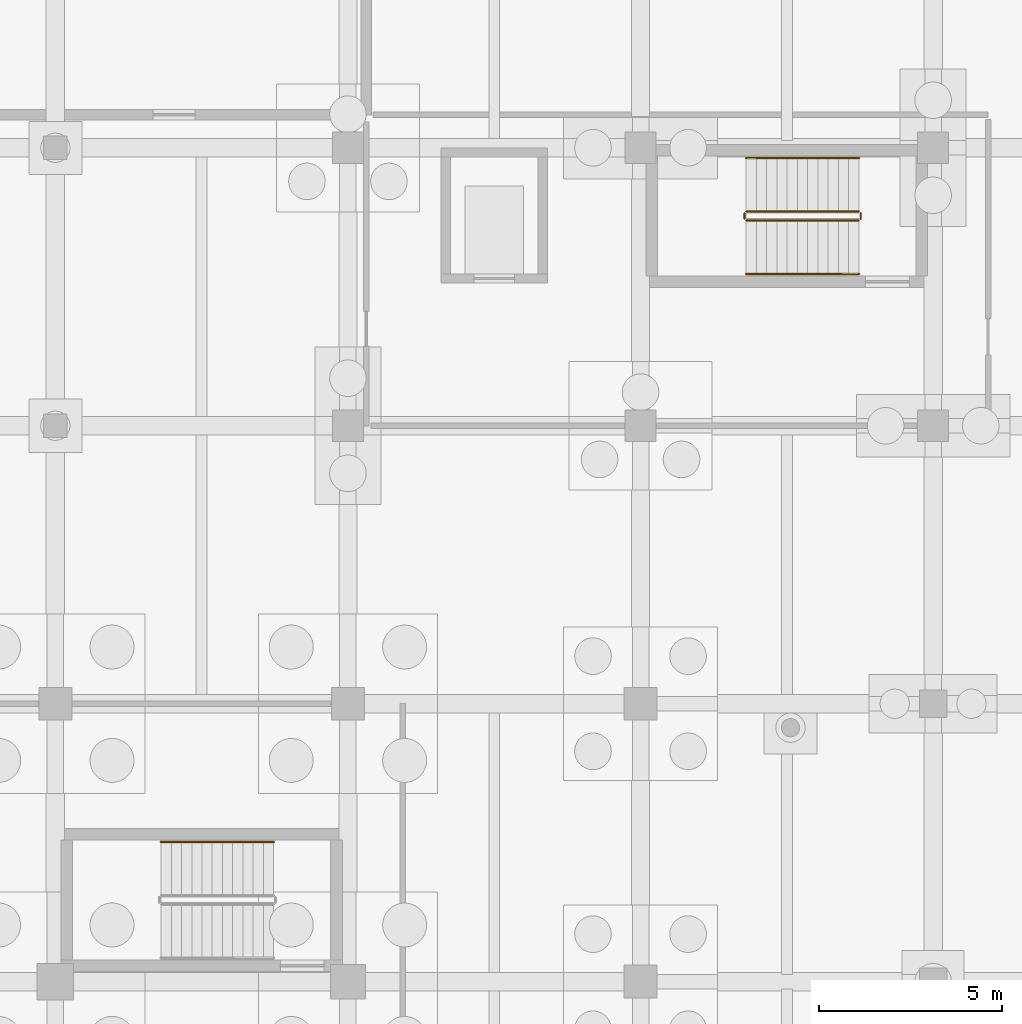
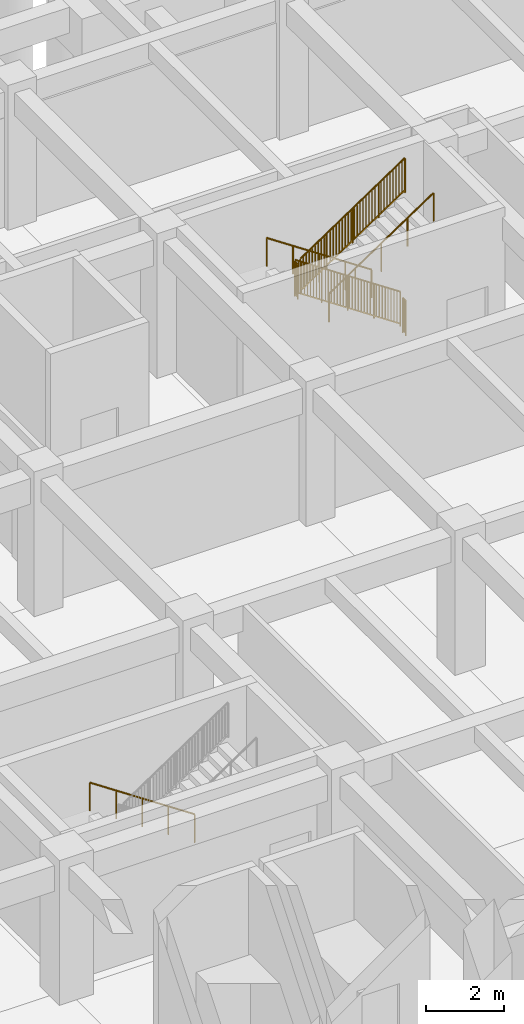
# One storey, part 48 of 49: 7 railings.
"""IFC4 building model written with IfcOpenShell, lengths in metres."""

import ifcopenshell
import ifcopenshell.guid

model = None  # the IFC model being written
_history = None  # IfcOwnerHistory: only IFC2X3 demands one
_inside = {}  # id of a spatial element -> (the spatial element, [elements in it])
_under = {}  # id of a project, library or spatial element -> (it, [spatial elements below it])
_declared = {}  # id of a project -> (the project, [libraries it declares])
_typed = {}  # id of a type object -> (the type object, [elements of that type])
_made_of = {}  # id of a material, layer set ... -> (it, [elements and type objects made of it])


def new_model(schema):
    """Start an empty IFC model of exactly this schema.

    Asked for "IFC4X3", IfcOpenShell would pick the latest addendum, in which some entities
    have other attributes; the version numbers below select the first issue.
    IFC2X3 requires an IfcOwnerHistory on every rooted entity: one is made here for all.
    """
    global model, _history
    if schema == "IFC4X3":
        model = ifcopenshell.file(schema_version=(4, 3, 0, 0))
    else:
        model = ifcopenshell.file(schema=schema)
    _inside.clear()
    _under.clear()
    _declared.clear()
    _typed.clear()
    _made_of.clear()
    _history = None
    if model.schema == "IFC2X3":
        org = make("IfcOrganization", Name="unknown")
        user = make(
            "IfcPersonAndOrganization",
            ThePerson=make("IfcPerson", FamilyName="unknown"),
            TheOrganization=org,
        )
        app = make(
            "IfcApplication",
            ApplicationDeveloper=org,
            Version="unknown",
            ApplicationFullName="unknown",
            ApplicationIdentifier="unknown",
        )
        _history = make(
            "IfcOwnerHistory",
            OwningUser=user,
            OwningApplication=app,
            ChangeAction="ADDED",
            CreationDate=0,
        )
    return model


def make(cls, **values):
    """One entity of the class cls with the attributes given. An attribute that is None is left unset."""
    return model.create_entity(
        cls, **{name: value for name, value in values.items() if value is not None}
    )


def rooted(cls, **values):
    """An entity with a GlobalId (a new one), such as an element, a storey or a relation."""
    return make(cls, GlobalId=ifcopenshell.guid.new(), OwnerHistory=_history, **values)


def si_unit(unit_type, name, prefix=None):
    """IfcSIUnit, for example si_unit("LENGTHUNIT", "METRE", prefix="MILLI")."""
    return make("IfcSIUnit", UnitType=unit_type, Prefix=prefix, Name=name)


def assignment(units):
    """IfcUnitAssignment: the units of a project."""
    return None if units is None else make("IfcUnitAssignment", Units=units)


def point(xyz):
    """IfcCartesianPoint."""
    return None if xyz is None else make("IfcCartesianPoint", Coordinates=xyz)


def direction(xyz):
    """IfcDirection."""
    return None if xyz is None else make("IfcDirection", DirectionRatios=xyz)


def frame(location, z_axis=None, x_axis=None):
    """IfcAxis2Placement3D, a coordinate frame: its origin and axes. An axis left out is left unset."""
    return make(
        "IfcAxis2Placement3D",
        Location=point(location),
        Axis=direction(z_axis),
        RefDirection=direction(x_axis),
    )


def frame_2d(location, x_axis=None):
    """IfcAxis2Placement2D, a coordinate frame in the plane: its origin and x axis."""
    return make(
        "IfcAxis2Placement2D", Location=point(location), RefDirection=direction(x_axis)
    )


def origin():
    """The frame at (0, 0, 0) with its axes left unset."""
    return frame((0.0, 0.0, 0.0))


def origin_2d():
    """The frame at (0, 0) in the plane with its x axis left unset."""
    return frame_2d((0.0, 0.0))


def place(relative_to, where):
    """IfcLocalPlacement: puts the frame where relative to a parent placement (None: the world)."""
    return make(
        "IfcLocalPlacement", PlacementRelTo=relative_to, RelativePlacement=where
    )


def context(
    kind, dimensions, precision=None, world=None, true_north=None, identifier=None
):
    """IfcGeometricRepresentationContext, for example the 3D "Model" context."""
    return make(
        "IfcGeometricRepresentationContext",
        ContextIdentifier=identifier,
        ContextType=kind,
        CoordinateSpaceDimension=dimensions,
        Precision=precision,
        WorldCoordinateSystem=world,
        TrueNorth=true_north,
    )


def subcontext(parent, identifier, kind, view, scale=None):
    """IfcGeometricRepresentationSubContext, for example "Body" below "Model"."""
    return make(
        "IfcGeometricRepresentationSubContext",
        ContextIdentifier=identifier,
        ContextType=kind,
        ParentContext=parent,
        TargetScale=scale,
        TargetView=view,
    )


def project(units=None, contexts=None):
    """IfcProject with its units and contexts."""
    return rooted(
        "IfcProject",
        Name="project",
        RepresentationContexts=contexts,
        UnitsInContext=assignment(units),
    )


def spatial(cls, under=None, at=None, **own):
    """A site, building, storey or space (cls), placed at a placement, below another one or the project."""
    s = rooted(cls, ObjectPlacement=at, **own)
    if under is not None:
        _under.setdefault(under.id(), (under, []))[1].append(s)
    return s


def profile(cls, at=None, kind="AREA", **sizes):
    """A parametric profile (cls). Its sizes go by their IFC names, for example OverallWidth=200.0."""
    return make(cls, ProfileType=kind, Position=at, **sizes)


def rectangle(**sizes):
    """IfcRectangleProfileDef."""
    return profile("IfcRectangleProfileDef", **sizes)


def circle(**sizes):
    """IfcCircleProfileDef."""
    return profile("IfcCircleProfileDef", **sizes)


def extrude(swept, where, along, depth):
    """IfcExtrudedAreaSolid: the profile swept, set in the frame where, extruded along a direction by depth."""
    return make(
        "IfcExtrudedAreaSolid",
        SweptArea=swept,
        Position=where,
        ExtrudedDirection=direction(along),
        Depth=depth,
    )


def shape(context_of_items, identifier, shape_type, items):
    """IfcShapeRepresentation: the items that make up one representation, for example the "Body"."""
    return make(
        "IfcShapeRepresentation",
        ContextOfItems=context_of_items,
        RepresentationIdentifier=identifier,
        RepresentationType=shape_type,
        Items=items,
    )


def material(Name=None, Category=None):
    """IfcMaterial."""
    return make("IfcMaterial", Name=Name, Category=Category)


def made_of(thing, what):
    """Note that an element or type object is made of a material, layer set ...; save() writes the relation."""
    if what is not None:
        _made_of.setdefault(what.id(), (what, []))[1].append(thing)
    return thing


def type_object(cls, material=None, **own):
    """A type object (cls), such as IfcWallType, which elements share."""
    return made_of(rooted(cls, **own), material)


def element(
    cls,
    number,
    at=None,
    inside=None,
    cuts=None,
    type_object=None,
    material=None,
    context=None,
    identifier="Body",
    shape_type=None,
    held_by="IfcProductDefinitionShape",
    body=None,
    shapes=None,
    **own,
):
    """One element of the class cls, such as IfcWall. Its Tag is "e" and its number.

    at: its placement. inside: the storey or other place that contains it. cuts: it is an
    opening in that element (IfcRelVoidsElement). A single representation is given by context,
    identifier, shape_type and body (its items); several are given by shapes. held_by: the class
    of the entity that holds the representations. save() writes the other relations.
    """
    e = rooted(cls, Tag="e%d" % number, ObjectPlacement=at, **own)
    if body is not None:
        shapes = [shape(context, identifier, shape_type, body)]
    if shapes is not None:
        e.Representation = make(held_by, Representations=shapes)
    if inside is not None:
        _inside.setdefault(inside.id(), (inside, []))[1].append(e)
    if cuts is not None:
        rooted(
            "IfcRelVoidsElement", RelatingBuildingElement=cuts, RelatedOpeningElement=e
        )
    if type_object is not None:
        _typed.setdefault(type_object.id(), (type_object, []))[1].append(e)
    return made_of(e, material)


def aggregate(whole, parts):
    """IfcRelAggregates: a whole, such as a stair, and the parts it consists of."""
    return rooted("IfcRelAggregates", RelatingObject=whole, RelatedObjects=parts)


def save(model, path):
    """Write the relations noted so far, then the file.

    IfcRelAggregates (storeys below a building ...), IfcRelContainedInSpatialStructure (elements
    in a storey), IfcRelDefinesByType, IfcRelAssociatesMaterial and IfcRelDeclares: one each for
    every whole, place, type object, material and project.
    """
    for whole, parts in _under.values():
        aggregate(whole, parts)
    for where, things in _inside.values():
        rooted(
            "IfcRelContainedInSpatialStructure",
            RelatedElements=things,
            RelatingStructure=where,
        )
    for kind, things in _typed.values():
        rooted("IfcRelDefinesByType", RelatedObjects=things, RelatingType=kind)
    for what, things in _made_of.values():
        rooted("IfcRelAssociatesMaterial", RelatedObjects=things, RelatingMaterial=what)
    for by, libraries in _declared.values():
        rooted("IfcRelDeclares", RelatingContext=by, RelatedDefinitions=libraries)
    model.write(path)


model = new_model("IFC4")

# Units and contexts
model_context = context("Model", 3, precision=1e-05, world=origin(), true_north=direction((0.0, 1.0)))
body_context = subcontext(model_context, "Body", "Model", "MODEL_VIEW")
ifc_project = project(units=[si_unit("LENGTHUNIT", "METRE"), si_unit("AREAUNIT", "SQUARE_METRE"), si_unit("VOLUMEUNIT", "CUBIC_METRE"), si_unit("PLANEANGLEUNIT", "RADIAN"), si_unit("MASSUNIT", "GRAM", prefix="KILO")], contexts=[model_context])

# Site, building, storey
site_placement = place(None, origin())
site = spatial("IfcSite", under=ifc_project, at=site_placement, CompositionType="ELEMENT")
building_placement = place(site_placement, origin())
building = spatial("IfcBuilding", under=site, at=building_placement, Name="Zantavel Square City Hall", CompositionType="ELEMENT")
storey_placement = place(building_placement, frame((0.0, 0.0, -4.5)))
storey = spatial("IfcBuildingStorey", under=building, at=storey_placement, Name="B1", CompositionType="ELEMENT", Elevation=-4.5)

# Railings
ifc_material_1 = material(Name="Steel ASTM A500 Grade B", Category="steel")
railing_type_1 = type_object("IfcRailingType", Name="Atrium & Gallery Steel Guard Railing 1100mm", PredefinedType="GUARDRAIL", material=ifc_material_1)
railing_1_placement = place(storey_placement, frame((117.969970703125, 81.860107421875, 0.1875)))
element("IfcRailing", 1, at=railing_1_placement, inside=storey, type_object=railing_type_1, Name="B1 ST2 stair guard 1", PredefinedType="GUARDRAIL", context=body_context, shape_type="SweptSolid", body=[
    extrude(circle(Radius=0.02392578125, at=origin_2d()), frame((0.0, 0.0, 1.076171875), z_axis=(-0.830913701846, 0.0, 0.55640131208), x_axis=(0.0, -1.0, 0.0)), (0.0, 0.0, 1.0), 3.706787109375),
    extrude(rectangle(XDim=0.031982421875, YDim=0.031982421875, at=origin_2d()), frame((0.0, 0.0, 0.080078125), z_axis=(-0.830913701846, 0.0, 0.55640131208), x_axis=(0.0, -1.0, 0.0)), (0.0, 0.0, 1.0), 3.706787109375),
    extrude(rectangle(XDim=0.02197265625, YDim=0.02197265625, at=origin_2d()), frame((-0.087890625, 0.0, 0.138916015625)), (0.0, 0.0, 1.0), 0.971923828125),
    extrude(rectangle(XDim=0.02197265625, YDim=0.02197265625, at=origin_2d()), frame((-0.176025390625, 0.0, 0.19775390625)), (0.0, 0.0, 1.0), 0.971923828125),
    extrude(rectangle(XDim=0.02197265625, YDim=0.02197265625, at=origin_2d()), frame((-0.263916015625, 0.0, 0.2568359375)), (0.0, 0.0, 1.0), 0.971923828125),
    extrude(rectangle(XDim=0.02197265625, YDim=0.02197265625, at=origin_2d()), frame((-0.35205078125, 0.0, 0.315673828125)), (0.0, 0.0, 1.0), 0.971923828125),
    extrude(rectangle(XDim=0.02197265625, YDim=0.02197265625, at=origin_2d()), frame((-0.43994140625, 0.0, 0.374755859375)), (0.0, 0.0, 1.0), 0.971923828125),
    extrude(rectangle(XDim=0.02197265625, YDim=0.02197265625, at=origin_2d()), frame((-0.528076171875, 0.0, 0.43359375)), (0.0, 0.0, 1.0), 0.971923828125),
    extrude(rectangle(XDim=0.02197265625, YDim=0.02197265625, at=origin_2d()), frame((-0.615966796875, 0.0, 0.492431640625)), (0.0, 0.0, 1.0), 0.971923828125),
    extrude(rectangle(XDim=0.02197265625, YDim=0.02197265625, at=origin_2d()), frame((-0.7041015625, 0.0, 0.551513671875)), (0.0, 0.0, 1.0), 0.971923828125),
    extrude(rectangle(XDim=0.02197265625, YDim=0.02197265625, at=origin_2d()), frame((-0.880126953125, 0.0, 0.669189453125)), (0.0, 0.0, 1.0), 0.971923828125),
    extrude(rectangle(XDim=0.02197265625, YDim=0.02197265625, at=origin_2d()), frame((-0.968017578125, 0.0, 0.728271484375)), (0.0, 0.0, 1.0), 0.971923828125),
    extrude(rectangle(XDim=0.02197265625, YDim=0.02197265625, at=origin_2d()), frame((-1.055908203125, 0.0, 0.787109375)), (0.0, 0.0, 1.0), 0.971923828125),
    extrude(rectangle(XDim=0.02197265625, YDim=0.02197265625, at=origin_2d()), frame((-1.14404296875, 0.0, 0.84619140625)), (0.0, 0.0, 1.0), 0.971923828125),
    extrude(rectangle(XDim=0.02197265625, YDim=0.02197265625, at=origin_2d()), frame((-1.23193359375, 0.0, 0.905029296875)), (0.0, 0.0, 1.0), 0.971923828125),
    extrude(rectangle(XDim=0.02197265625, YDim=0.02197265625, at=origin_2d()), frame((-1.320068359375, 0.0, 0.9638671875)), (0.0, 0.0, 1.0), 0.971923828125),
    extrude(rectangle(XDim=0.02197265625, YDim=0.02197265625, at=origin_2d()), frame((-1.407958984375, 0.0, 1.02294921875)), (0.0, 0.0, 1.0), 0.971923828125),
    extrude(rectangle(XDim=0.02197265625, YDim=0.02197265625, at=origin_2d()), frame((-1.49609375, 0.0, 1.081787109375)), (0.0, 0.0, 1.0), 0.971923828125),
    extrude(rectangle(XDim=0.02197265625, YDim=0.02197265625, at=origin_2d()), frame((-1.583984375, 0.0, 1.140625)), (0.0, 0.0, 1.0), 0.971923828125),
    extrude(rectangle(XDim=0.02197265625, YDim=0.02197265625, at=origin_2d()), frame((-1.672119140625, 0.0, 1.19970703125)), (0.0, 0.0, 1.0), 0.971923828125),
    extrude(rectangle(XDim=0.02197265625, YDim=0.02197265625, at=origin_2d()), frame((-1.760009765625, 0.0, 1.258544921875)), (0.0, 0.0, 1.0), 0.971923828125),
    extrude(rectangle(XDim=0.02197265625, YDim=0.02197265625, at=origin_2d()), frame((-1.84814453125, 0.0, 1.3173828125)), (0.0, 0.0, 1.0), 0.971923828125),
    extrude(rectangle(XDim=0.02197265625, YDim=0.02197265625, at=origin_2d()), frame((-1.93603515625, 0.0, 1.37646484375)), (0.0, 0.0, 1.0), 0.971923828125),
    extrude(rectangle(XDim=0.02197265625, YDim=0.02197265625, at=origin_2d()), frame((-2.024169921875, 0.0, 1.435302734375)), (0.0, 0.0, 1.0), 0.971923828125),
    extrude(rectangle(XDim=0.02197265625, YDim=0.02197265625, at=origin_2d()), frame((-2.112060546875, 0.0, 1.494384765625)), (0.0, 0.0, 1.0), 0.971923828125),
    extrude(rectangle(XDim=0.02197265625, YDim=0.02197265625, at=origin_2d()), frame((-2.199951171875, 0.0, 1.55322265625)), (0.0, 0.0, 1.0), 0.971923828125),
    extrude(rectangle(XDim=0.02197265625, YDim=0.02197265625, at=origin_2d()), frame((-2.3759765625, 0.0, 1.671142578125)), (0.0, 0.0, 1.0), 0.971923828125),
    extrude(rectangle(XDim=0.02197265625, YDim=0.02197265625, at=origin_2d()), frame((-2.464111328125, 0.0, 1.72998046875)), (0.0, 0.0, 1.0), 0.971923828125),
    extrude(rectangle(XDim=0.02197265625, YDim=0.02197265625, at=origin_2d()), frame((-2.552001953125, 0.0, 1.788818359375)), (0.0, 0.0, 1.0), 0.971923828125),
    extrude(rectangle(XDim=0.02197265625, YDim=0.02197265625, at=origin_2d()), frame((-2.64013671875, 0.0, 1.847900390625)), (0.0, 0.0, 1.0), 0.971923828125),
    extrude(rectangle(XDim=0.02197265625, YDim=0.02197265625, at=origin_2d()), frame((-2.72802734375, 0.0, 1.90673828125)), (0.0, 0.0, 1.0), 0.971923828125),
    extrude(rectangle(XDim=0.02197265625, YDim=0.02197265625, at=origin_2d()), frame((-2.816162109375, 0.0, 1.9658203125)), (0.0, 0.0, 1.0), 0.971923828125),
    extrude(rectangle(XDim=0.02197265625, YDim=0.02197265625, at=origin_2d()), frame((-2.904052734375, 0.0, 2.024658203125)), (0.0, 0.0, 1.0), 0.971923828125),
    extrude(rectangle(XDim=0.02197265625, YDim=0.02197265625, at=origin_2d()), frame((-2.9921875, 0.0, 2.08349609375)), (0.0, 0.0, 1.0), 0.971923828125),
    extrude(circle(Radius=0.02099609375, at=origin_2d()), origin(), (0.0, 0.0, 1.0), 1.052001953125),
    extrude(circle(Radius=0.02099609375, at=origin_2d()), frame((-0.77001953125, 0.0, 0.515625)), (0.0, 0.0, 1.0), 1.052001953125),
    extrude(circle(Radius=0.02099609375, at=origin_2d()), frame((-1.5400390625, 0.0, 1.03125)), (0.0, 0.0, 1.0), 1.052001953125),
    extrude(circle(Radius=0.02099609375, at=origin_2d()), frame((-2.31005859375, 0.0, 1.546875)), (0.0, 0.0, 1.0), 1.052001953125),
    extrude(circle(Radius=0.02099609375, at=origin_2d()), frame((-3.080078125, 0.0, 2.0625)), (0.0, 0.0, 1.0), 1.052001953125),
])
railing_2_placement = place(storey_placement, frame((114.840087890625, 81.81005859375, 2.25)))
element("IfcRailing", 2, at=railing_2_placement, inside=storey, type_object=railing_type_1, Name="B1 ST2 stair guard 2", PredefinedType="GUARDRAIL", context=body_context, shape_type="SweptSolid", body=[
    extrude(circle(Radius=0.02392578125, at=origin_2d()), frame((0.0, 0.0, 1.076171875), z_axis=(0.0, -1.0, 0.0), x_axis=(1.0, 0.0, 0.0)), (0.0, 0.0, 1.0), 0.150146484375),
    extrude(rectangle(XDim=0.031982421875, YDim=0.031982421875, at=origin_2d()), frame((0.0, 0.0, 0.080078125), z_axis=(0.0, -1.0, 0.0), x_axis=(1.0, 0.0, 0.0)), (0.0, 0.0, 1.0), 0.150146484375),
    extrude(rectangle(XDim=0.02197265625, YDim=0.02197265625, at=origin_2d()), frame((0.0, -0.0751953125, 0.080078125)), (0.0, 0.0, 1.0), 0.971923828125),
    extrude(circle(Radius=0.02099609375, at=origin_2d()), origin(), (0.0, 0.0, 1.0), 1.052001953125),
    extrude(circle(Radius=0.02099609375, at=origin_2d()), frame((0.0, -0.150146484375, 0.0)), (0.0, 0.0, 1.0), 1.052001953125),
])
railing_3_placement = place(storey_placement, frame((114.889892578125, 81.610107421875, 2.4375)))
element("IfcRailing", 3, at=railing_3_placement, inside=storey, type_object=railing_type_1, Name="B1 ST2 stair guard 3", PredefinedType="GUARDRAIL", context=body_context, shape_type="SweptSolid", body=[
    extrude(circle(Radius=0.02392578125, at=origin_2d()), frame((0.0, 0.0, 1.076171875), z_axis=(0.830913701846, 0.0, 0.55640131208), x_axis=(0.0, 1.0, 0.0)), (0.0, 0.0, 1.0), 3.706787109375),
    extrude(rectangle(XDim=0.031982421875, YDim=0.031982421875, at=origin_2d()), frame((0.0, 0.0, 0.080078125), z_axis=(0.830913701846, 0.0, 0.55640131208), x_axis=(0.0, 1.0, 0.0)), (0.0, 0.0, 1.0), 3.706787109375),
    extrude(rectangle(XDim=0.02197265625, YDim=0.02197265625, at=origin_2d()), frame((0.087890625, 0.0, 0.138916015625)), (0.0, 0.0, 1.0), 0.971923828125),
    extrude(rectangle(XDim=0.02197265625, YDim=0.02197265625, at=origin_2d()), frame((0.176025390625, 0.0, 0.19775390625)), (0.0, 0.0, 1.0), 0.971923828125),
    extrude(rectangle(XDim=0.02197265625, YDim=0.02197265625, at=origin_2d()), frame((0.263916015625, 0.0, 0.2568359375)), (0.0, 0.0, 1.0), 0.971923828125),
    extrude(rectangle(XDim=0.02197265625, YDim=0.02197265625, at=origin_2d()), frame((0.35205078125, 0.0, 0.315673828125)), (0.0, 0.0, 1.0), 0.971923828125),
    extrude(rectangle(XDim=0.02197265625, YDim=0.02197265625, at=origin_2d()), frame((0.43994140625, 0.0, 0.374755859375)), (0.0, 0.0, 1.0), 0.971923828125),
    extrude(rectangle(XDim=0.02197265625, YDim=0.02197265625, at=origin_2d()), frame((0.528076171875, 0.0, 0.43359375)), (0.0, 0.0, 1.0), 0.971923828125),
    extrude(rectangle(XDim=0.02197265625, YDim=0.02197265625, at=origin_2d()), frame((0.615966796875, 0.0, 0.492431640625)), (0.0, 0.0, 1.0), 0.971923828125),
    extrude(rectangle(XDim=0.02197265625, YDim=0.02197265625, at=origin_2d()), frame((0.7041015625, 0.0, 0.551513671875)), (0.0, 0.0, 1.0), 0.971923828125),
    extrude(rectangle(XDim=0.02197265625, YDim=0.02197265625, at=origin_2d()), frame((0.880126953125, 0.0, 0.669189453125)), (0.0, 0.0, 1.0), 0.971923828125),
    extrude(rectangle(XDim=0.02197265625, YDim=0.02197265625, at=origin_2d()), frame((0.968017578125, 0.0, 0.728271484375)), (0.0, 0.0, 1.0), 0.971923828125),
    extrude(rectangle(XDim=0.02197265625, YDim=0.02197265625, at=origin_2d()), frame((1.055908203125, 0.0, 0.787109375)), (0.0, 0.0, 1.0), 0.971923828125),
    extrude(rectangle(XDim=0.02197265625, YDim=0.02197265625, at=origin_2d()), frame((1.14404296875, 0.0, 0.84619140625)), (0.0, 0.0, 1.0), 0.971923828125),
    extrude(rectangle(XDim=0.02197265625, YDim=0.02197265625, at=origin_2d()), frame((1.23193359375, 0.0, 0.905029296875)), (0.0, 0.0, 1.0), 0.971923828125),
    extrude(rectangle(XDim=0.02197265625, YDim=0.02197265625, at=origin_2d()), frame((1.320068359375, 0.0, 0.9638671875)), (0.0, 0.0, 1.0), 0.971923828125),
    extrude(rectangle(XDim=0.02197265625, YDim=0.02197265625, at=origin_2d()), frame((1.407958984375, 0.0, 1.02294921875)), (0.0, 0.0, 1.0), 0.971923828125),
    extrude(rectangle(XDim=0.02197265625, YDim=0.02197265625, at=origin_2d()), frame((1.49609375, 0.0, 1.081787109375)), (0.0, 0.0, 1.0), 0.971923828125),
    extrude(rectangle(XDim=0.02197265625, YDim=0.02197265625, at=origin_2d()), frame((1.583984375, 0.0, 1.140625)), (0.0, 0.0, 1.0), 0.971923828125),
    extrude(rectangle(XDim=0.02197265625, YDim=0.02197265625, at=origin_2d()), frame((1.672119140625, 0.0, 1.19970703125)), (0.0, 0.0, 1.0), 0.971923828125),
    extrude(rectangle(XDim=0.02197265625, YDim=0.02197265625, at=origin_2d()), frame((1.760009765625, 0.0, 1.258544921875)), (0.0, 0.0, 1.0), 0.971923828125),
    extrude(rectangle(XDim=0.02197265625, YDim=0.02197265625, at=origin_2d()), frame((1.84814453125, 0.0, 1.3173828125)), (0.0, 0.0, 1.0), 0.971923828125),
    extrude(rectangle(XDim=0.02197265625, YDim=0.02197265625, at=origin_2d()), frame((1.93603515625, 0.0, 1.37646484375)), (0.0, 0.0, 1.0), 0.971923828125),
    extrude(rectangle(XDim=0.02197265625, YDim=0.02197265625, at=origin_2d()), frame((2.024169921875, 0.0, 1.435302734375)), (0.0, 0.0, 1.0), 0.971923828125),
    extrude(rectangle(XDim=0.02197265625, YDim=0.02197265625, at=origin_2d()), frame((2.112060546875, 0.0, 1.494384765625)), (0.0, 0.0, 1.0), 0.971923828125),
    extrude(rectangle(XDim=0.02197265625, YDim=0.02197265625, at=origin_2d()), frame((2.199951171875, 0.0, 1.55322265625)), (0.0, 0.0, 1.0), 0.971923828125),
    extrude(rectangle(XDim=0.02197265625, YDim=0.02197265625, at=origin_2d()), frame((2.3759765625, 0.0, 1.671142578125)), (0.0, 0.0, 1.0), 0.971923828125),
    extrude(rectangle(XDim=0.02197265625, YDim=0.02197265625, at=origin_2d()), frame((2.464111328125, 0.0, 1.72998046875)), (0.0, 0.0, 1.0), 0.971923828125),
    extrude(rectangle(XDim=0.02197265625, YDim=0.02197265625, at=origin_2d()), frame((2.552001953125, 0.0, 1.788818359375)), (0.0, 0.0, 1.0), 0.971923828125),
    extrude(rectangle(XDim=0.02197265625, YDim=0.02197265625, at=origin_2d()), frame((2.64013671875, 0.0, 1.847900390625)), (0.0, 0.0, 1.0), 0.971923828125),
    extrude(rectangle(XDim=0.02197265625, YDim=0.02197265625, at=origin_2d()), frame((2.72802734375, 0.0, 1.90673828125)), (0.0, 0.0, 1.0), 0.971923828125),
    extrude(rectangle(XDim=0.02197265625, YDim=0.02197265625, at=origin_2d()), frame((2.816162109375, 0.0, 1.9658203125)), (0.0, 0.0, 1.0), 0.971923828125),
    extrude(rectangle(XDim=0.02197265625, YDim=0.02197265625, at=origin_2d()), frame((2.904052734375, 0.0, 2.024658203125)), (0.0, 0.0, 1.0), 0.971923828125),
    extrude(rectangle(XDim=0.02197265625, YDim=0.02197265625, at=origin_2d()), frame((2.9921875, 0.0, 2.08349609375)), (0.0, 0.0, 1.0), 0.971923828125),
    extrude(circle(Radius=0.02099609375, at=origin_2d()), origin(), (0.0, 0.0, 1.0), 1.052001953125),
    extrude(circle(Radius=0.02099609375, at=origin_2d()), frame((0.77001953125, 0.0, 0.515625)), (0.0, 0.0, 1.0), 1.052001953125),
    extrude(circle(Radius=0.02099609375, at=origin_2d()), frame((1.5400390625, 0.0, 1.03125)), (0.0, 0.0, 1.0), 1.052001953125),
    extrude(circle(Radius=0.02099609375, at=origin_2d()), frame((2.31005859375, 0.0, 1.546875)), (0.0, 0.0, 1.0), 1.052001953125),
    extrude(circle(Radius=0.02099609375, at=origin_2d()), frame((3.080078125, 0.0, 2.0625)), (0.0, 0.0, 1.0), 1.052001953125),
])
railing_4_placement = place(storey_placement, frame((118.02001953125, 81.81005859375, 0.0)))
element("IfcRailing", 4, at=railing_4_placement, inside=storey, type_object=railing_type_1, Name="B1 ST2 stair guard 4", PredefinedType="GUARDRAIL", context=body_context, shape_type="SweptSolid", body=[
    extrude(circle(Radius=0.02392578125, at=origin_2d()), frame((0.0, 0.0, 1.076171875), z_axis=(0.0, -1.0, 0.0), x_axis=(1.0, 0.0, 0.0)), (0.0, 0.0, 1.0), 0.150146484375),
    extrude(rectangle(XDim=0.031982421875, YDim=0.031982421875, at=origin_2d()), frame((0.0, 0.0, 0.080078125), z_axis=(0.0, -1.0, 0.0), x_axis=(1.0, 0.0, 0.0)), (0.0, 0.0, 1.0), 0.150146484375),
    extrude(rectangle(XDim=0.02197265625, YDim=0.02197265625, at=origin_2d()), frame((0.0, -0.0751953125, 0.080078125)), (0.0, 0.0, 1.0), 0.971923828125),
    extrude(circle(Radius=0.02099609375, at=origin_2d()), origin(), (0.0, 0.0, 1.0), 1.052001953125),
    extrude(circle(Radius=0.02099609375, at=origin_2d()), frame((0.0, -0.150146484375, 0.0)), (0.0, 0.0, 1.0), 1.052001953125),
])
ifc_material_2 = material(Name="Stainless steel 316", Category="steel")
railing_type_2 = type_object("IfcRailingType", Name="Stair Stainless Steel Handrail 900mm", PredefinedType="HANDRAIL", material=ifc_material_2)
railing_5_placement = place(storey_placement, frame((117.969970703125, 83.320068359375, 0.1875)))
element("IfcRailing", 5, at=railing_5_placement, inside=storey, type_object=railing_type_2, Name="B1 ST2 stair handrail 1", PredefinedType="HANDRAIL", context=body_context, shape_type="SweptSolid", body=[
    extrude(circle(Radius=0.02392578125, at=origin_2d()), frame((0.0, 0.0, 0.8759765625), z_axis=(-0.830913701846, 0.0, 0.55640131208), x_axis=(0.0, -1.0, 0.0)), (0.0, 0.0, 1.0), 3.706787109375),
    extrude(circle(Radius=0.02099609375, at=origin_2d()), origin(), (0.0, 0.0, 1.0), 0.851806640625),
    extrude(circle(Radius=0.02099609375, at=origin_2d()), frame((-0.77001953125, 0.0, 0.515625)), (0.0, 0.0, 1.0), 0.851806640625),
    extrude(circle(Radius=0.02099609375, at=origin_2d()), frame((-1.5400390625, 0.0, 1.03125)), (0.0, 0.0, 1.0), 0.851806640625),
    extrude(circle(Radius=0.02099609375, at=origin_2d()), frame((-2.31005859375, 0.0, 1.546875)), (0.0, 0.0, 1.0), 0.851806640625),
    extrude(circle(Radius=0.02099609375, at=origin_2d()), frame((-3.080078125, 0.0, 2.0625)), (0.0, 0.0, 1.0), 0.851806640625),
])
railing_6_placement = place(storey_placement, frame((114.889892578125, 80.14990234375, 2.4375)))
element("IfcRailing", 6, at=railing_6_placement, inside=storey, type_object=railing_type_2, Name="B1 ST2 stair handrail 2", PredefinedType="HANDRAIL", context=body_context, shape_type="SweptSolid", body=[
    extrude(circle(Radius=0.02392578125, at=origin_2d()), frame((0.0, 0.0, 0.8759765625), z_axis=(0.830913701846, 0.0, 0.55640131208), x_axis=(0.0, 1.0, 0.0)), (0.0, 0.0, 1.0), 3.706787109375),
    extrude(circle(Radius=0.02099609375, at=origin_2d()), origin(), (0.0, 0.0, 1.0), 0.851806640625),
    extrude(circle(Radius=0.02099609375, at=origin_2d()), frame((0.77001953125, 0.0, 0.515625)), (0.0, 0.0, 1.0), 0.851806640625),
    extrude(circle(Radius=0.02099609375, at=origin_2d()), frame((1.5400390625, 0.0, 1.03125)), (0.0, 0.0, 1.0), 0.851806640625),
    extrude(circle(Radius=0.02099609375, at=origin_2d()), frame((2.31005859375, 0.0, 1.546875)), (0.0, 0.0, 1.0), 0.851806640625),
    extrude(circle(Radius=0.02099609375, at=origin_2d()), frame((3.080078125, 0.0, 2.0625)), (0.0, 0.0, 1.0), 0.851806640625),
])
railing_7_placement = place(storey_placement, frame((101.969970703125, 64.6201171875, 0.1875)))
element("IfcRailing", 7, at=railing_7_placement, inside=storey, type_object=railing_type_2, Name="B1 ST6 stair handrail 1", PredefinedType="HANDRAIL", context=body_context, shape_type="SweptSolid", body=[
    extrude(circle(Radius=0.02392578125, at=origin_2d()), frame((0.0, 0.0, 0.8759765625), z_axis=(-0.830913701846, 0.0, 0.55640131208), x_axis=(0.0, -1.0, 0.0)), (0.0, 0.0, 1.0), 3.706787109375),
    extrude(circle(Radius=0.02099609375, at=origin_2d()), origin(), (0.0, 0.0, 1.0), 0.851806640625),
    extrude(circle(Radius=0.02099609375, at=origin_2d()), frame((-0.77001953125, 0.0, 0.515625)), (0.0, 0.0, 1.0), 0.851806640625),
    extrude(circle(Radius=0.02099609375, at=origin_2d()), frame((-1.5400390625, 0.0, 1.03125)), (0.0, 0.0, 1.0), 0.851806640625),
    extrude(circle(Radius=0.02099609375, at=origin_2d()), frame((-2.31005859375, 0.0, 1.546875)), (0.0, 0.0, 1.0), 0.851806640625),
    extrude(circle(Radius=0.02099609375, at=origin_2d()), frame((-3.080078125, 0.0, 2.0625)), (0.0, 0.0, 1.0), 0.851806640625),
])

save(model, "model.ifc")
